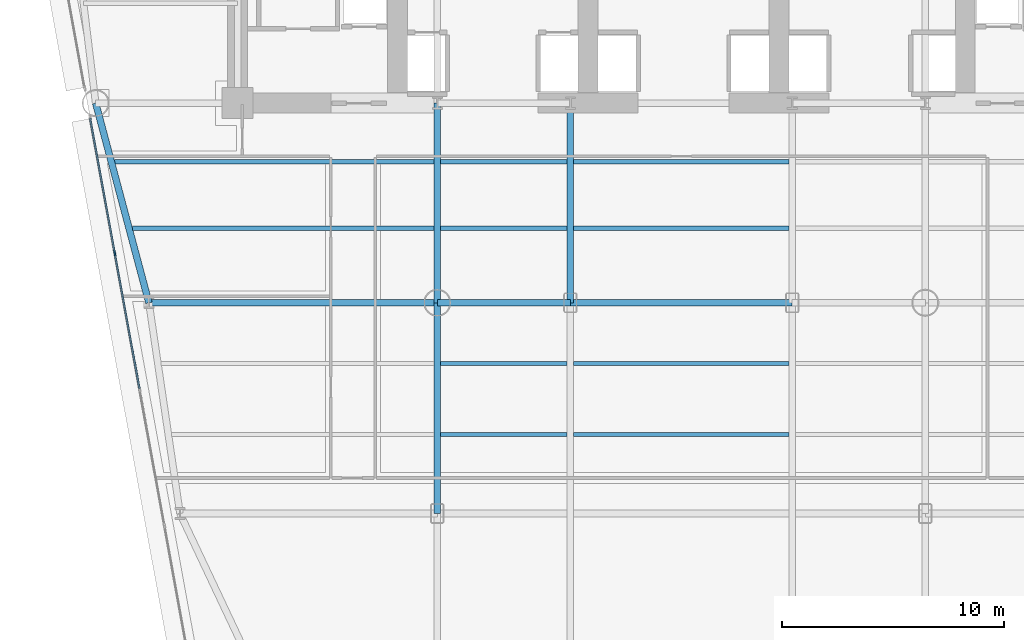
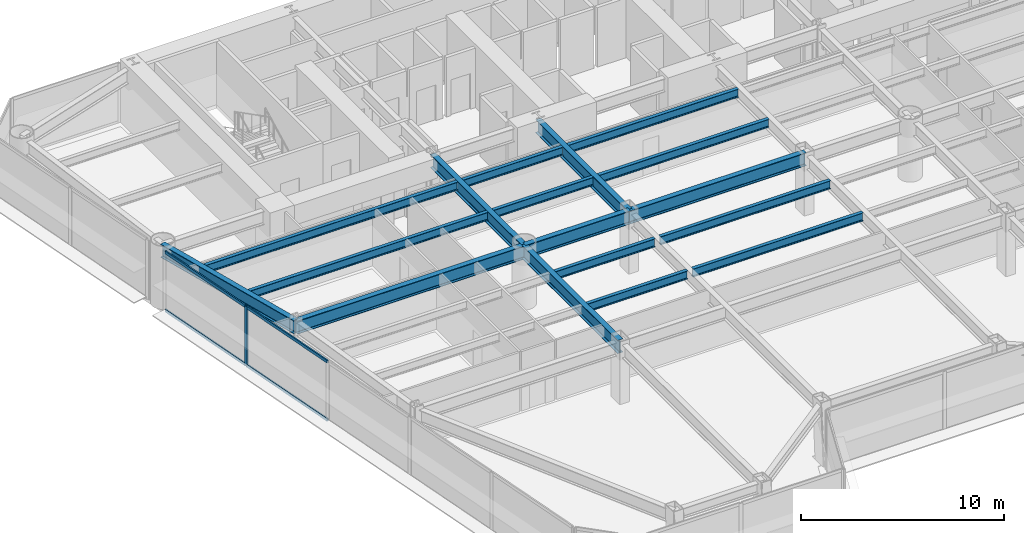
# One storey, part 3 of 14: 17 beams, 5 members, 1 element without a shape of its own.
"""IFC4 building model written with IfcOpenShell, lengths in metres."""

from ifc_helpers import new_model, si_unit, direction, frame, origin, origin_2d, place, context, subcontext, project, spatial, rectangle, i_section, extrude, source, transform, mapped, material, layer, layer_set, material_profile, profile_set, type_object, element, aggregate, save


model = new_model("IFC4")

# Units and contexts
model_context = context("Model", 3, precision=1e-05, world=origin(), true_north=direction((0.0, 1.0)))
body_context = subcontext(model_context, "Body", "Model", "MODEL_VIEW")
ifc_project = project(units=[si_unit("LENGTHUNIT", "METRE"), si_unit("AREAUNIT", "SQUARE_METRE"), si_unit("VOLUMEUNIT", "CUBIC_METRE"), si_unit("PLANEANGLEUNIT", "RADIAN"), si_unit("MASSUNIT", "GRAM", prefix="KILO")], contexts=[model_context])

# Site, building, storey
site_placement = place(None, origin())
site = spatial("IfcSite", under=ifc_project, at=site_placement, CompositionType="ELEMENT")
building_placement = place(site_placement, origin())
building = spatial("IfcBuilding", under=site, at=building_placement, Name="Vaeldorn Concourse Tower", CompositionType="ELEMENT")
storey_placement = place(building_placement, frame((0.0, 0.0, 64.39990234375)))
storey = spatial("IfcBuildingStorey", under=building, at=storey_placement, Name="L16", CompositionType="ELEMENT", Elevation=64.39990234375)

# Beams
ifc_material_1 = material(Name="Steel S355", Category="steel")
ifc_material_profile_1 = material_profile(ifc_material_1, i_section(OverallWidth=0.300048828125, OverallDepth=0.800048828125, WebThickness=0.017578125, FlangeThickness=0.032958984375, FilletRadius=0.030029296875, at=origin_2d()), Name="HEB 800")
ifc_profile_set_1 = profile_set([ifc_material_profile_1], Name="Steel S355")
beam_type_1 = type_object("IfcBeamType", Name="BM-PG-HEB800", PredefinedType="BEAM", material=ifc_profile_set_1)
shared_shape_1 = source(origin(), body_context, "Body", "SweptSolid", [
    extrude(i_section(OverallWidth=0.300048828125, OverallDepth=0.800048828125, WebThickness=0.017578125, FlangeThickness=0.032958984375, FilletRadius=0.030029296875, at=origin_2d()), origin(), (0.0, 0.0, 1.0), 6.0),
])
beam_1_placement = place(storey_placement, frame((23.0, 27.5, 3.18017578125), z_axis=(1.0, 0.0, 0.0), x_axis=(0.0, 1.0, 0.0)))
element("IfcBeam", 1, at=beam_1_placement, inside=storey, type_object=beam_type_1, Name="Beam BM-L16-C-TW1-C-TW2", PredefinedType="BEAM", context=body_context, shape_type="MappedRepresentation", body=[
    mapped(shared_shape_1, transform((0.0, 0.0, 0.0), scale=1.0)),
])
shared_shape_2 = source(origin(), body_context, "Body", "SweptSolid", [
    extrude(i_section(OverallWidth=0.300048828125, OverallDepth=0.800048828125, WebThickness=0.017578125, FlangeThickness=0.032958984375, FilletRadius=0.030029296875, at=origin_2d()), origin(), (0.0, 0.0, 1.0), 10.0),
])
beam_2_placement = place(storey_placement, frame((29.0, 27.5, 3.18017578125), z_axis=(1.0, 0.0, 0.0), x_axis=(0.0, 1.0, 0.0)))
element("IfcBeam", 2, at=beam_2_placement, inside=storey, type_object=beam_type_1, Name="Beam BM-L16-C-TW2-C-TW3", PredefinedType="BEAM", context=body_context, shape_type="MappedRepresentation", body=[
    mapped(shared_shape_2, transform((0.0, 0.0, 0.0), scale=1.0)),
])
shared_shape_3 = source(origin(), body_context, "Body", "SweptSolid", [
    extrude(i_section(OverallWidth=0.300048828125, OverallDepth=0.800048828125, WebThickness=0.017578125, FlangeThickness=0.032958984375, FilletRadius=0.030029296875, at=origin_2d()), origin(), (0.0, 0.0, 1.0), 9.0),
])
for number, where, z_axis, x_axis, name in (
    (3, (23.0, 27.5, 3.18017578125), (0.0, 1.0, 0.0), (-1.0, 0.0, 0.0), "Beam BM-L16-C-TW1-C-FC2"),
    (4, (29.0, 27.5, 3.18017578125), (0.0, 1.0, 0.0), (-1.0, 0.0, 0.0), "Beam BM-L16-C-TW2-C-FC3"),
):
    element("IfcBeam", number, at=place(storey_placement, frame(where, z_axis=z_axis, x_axis=x_axis)), inside=storey, type_object=beam_type_1, Name=name, PredefinedType="BEAM", context=body_context, shape_type="MappedRepresentation", body=[
        mapped(shared_shape_3, transform((0.0, 0.0, 0.0), scale=1.0)),
    ])
shared_shape_4 = source(origin(), body_context, "Body", "SweptSolid", [
    extrude(i_section(OverallWidth=0.300048828125, OverallDepth=0.800048828125, WebThickness=0.017578125, FlangeThickness=0.032958984375, FilletRadius=0.030029296875, at=origin_2d()), origin(), (0.0, 0.0, 1.0), 9.314453125),
])
beam_3_placement = place(storey_placement, frame((7.60009765625, 36.5, 3.18017578125), z_axis=(0.257652862255, -0.966237549763, 0.0), x_axis=(0.966237549763, 0.257652862255, 0.0)))
element("IfcBeam", 5, at=beam_3_placement, inside=storey, type_object=beam_type_1, Name="Beam BM-L16-C-NW2-C-FLW1", PredefinedType="BEAM", context=body_context, shape_type="MappedRepresentation", body=[
    mapped(shared_shape_4, transform((0.0, 0.0, 0.0), scale=1.0)),
])
shared_shape_5 = source(origin(), body_context, "Body", "SweptSolid", [
    extrude(i_section(OverallWidth=0.300048828125, OverallDepth=0.800048828125, WebThickness=0.017578125, FlangeThickness=0.032958984375, FilletRadius=0.030029296875, at=origin_2d()), origin(), (0.0, 0.0, 1.0), 13.0),
])
beam_4_placement = place(storey_placement, frame((10.0, 27.5, 3.18017578125), z_axis=(1.0, 0.0, 0.0), x_axis=(0.0, 1.0, 0.0)))
element("IfcBeam", 6, at=beam_4_placement, inside=storey, type_object=beam_type_1, Name="Beam BM-L16-C-FLW1-C-TW1", PredefinedType="BEAM", context=body_context, shape_type="MappedRepresentation", body=[
    mapped(shared_shape_5, transform((0.0, 0.0, 0.0), scale=1.0)),
])
shared_shape_6 = source(origin(), body_context, "Body", "SweptSolid", [
    extrude(i_section(OverallWidth=0.300048828125, OverallDepth=0.800048828125, WebThickness=0.017578125, FlangeThickness=0.032958984375, FilletRadius=0.030029296875, at=origin_2d()), origin(), (0.0, 0.0, 1.0), 9.5),
])
beam_5_placement = place(storey_placement, frame((23.0, 18.0, 3.18017578125), z_axis=(0.0, 1.0, 0.0), x_axis=(-1.0, 0.0, 0.0)))
element("IfcBeam", 7, at=beam_5_placement, inside=storey, type_object=beam_type_1, Name="Beam BM-L16-C-TW5-C-TW1", PredefinedType="BEAM", context=body_context, shape_type="MappedRepresentation", body=[
    mapped(shared_shape_6, transform((0.0, 0.0, 0.0), scale=1.0)),
])
ifc_material_profile_2 = material_profile(ifc_material_1, i_section(OverallWidth=0.199951171875, OverallDepth=0.5, WebThickness=0.01025390625, FlangeThickness=0.01611328125, FilletRadius=0.02099609375, at=origin_2d()), Name="IPE 500")
ifc_profile_set_2 = profile_set([ifc_material_profile_2], Name="Steel S355")
beam_type_2 = type_object("IfcBeamType", Name="BM-JS-IPE500", PredefinedType="JOIST", material=ifc_profile_set_2)
shared_shape_7 = source(origin(), body_context, "Body", "SweptSolid", [
    extrude(i_section(OverallWidth=0.199951171875, OverallDepth=0.5, WebThickness=0.01025390625, FlangeThickness=0.01611328125, FilletRadius=0.02099609375, at=origin_2d()), origin(), (0.0, 0.0, 1.0), 5.7001953125),
])
for number, where, z_axis, x_axis, name in (
    (8, (23.14990234375, 21.56005859375, 3.330078125), (1.0, 0.0, 0.0), (0.0, 1.0, 0.0), "Beam JS-L16-W2-215"),
    (9, (23.14990234375, 24.760009765625, 3.330078125), (1.0, 0.0, 0.0), (0.0, 1.0, 0.0), "Beam JS-L16-W2-247"),
    (10, (23.14990234375, 30.860107421875, 3.330078125), (1.0, 0.0, 0.0), (0.0, 1.0, 0.0), "Beam JS-L16-W2-308"),
    (11, (23.14990234375, 33.860107421875, 3.330078125), (1.0, 0.0, 0.0), (0.0, 1.0, 0.0), "Beam JS-L16-W2-338"),
):
    element("IfcBeam", number, at=place(storey_placement, frame(where, z_axis=z_axis, x_axis=x_axis)), inside=storey, type_object=beam_type_2, Name=name, PredefinedType="JOIST", context=body_context, shape_type="MappedRepresentation", body=[
        mapped(shared_shape_7, transform((0.0, 0.0, 0.0), scale=1.0)),
    ])
shared_shape_8 = source(origin(), body_context, "Body", "SweptSolid", [
    extrude(i_section(OverallWidth=0.199951171875, OverallDepth=0.5, WebThickness=0.01025390625, FlangeThickness=0.01611328125, FilletRadius=0.02099609375, at=origin_2d()), origin(), (0.0, 0.0, 1.0), 9.7001953125),
])
for number, where, z_axis, x_axis, name in (
    (12, (29.14990234375, 21.56005859375, 3.330078125), (1.0, 0.0, 0.0), (0.0, 1.0, 0.0), "Beam JS-L16-C-215"),
    (13, (29.14990234375, 24.760009765625, 3.330078125), (1.0, 0.0, 0.0), (0.0, 1.0, 0.0), "Beam JS-L16-C-247"),
    (14, (29.14990234375, 30.860107421875, 3.330078125), (1.0, 0.0, 0.0), (0.0, 1.0, 0.0), "Beam JS-L16-C-308"),
    (15, (29.14990234375, 33.860107421875, 3.330078125), (1.0, 0.0, 0.0), (0.0, 1.0, 0.0), "Beam JS-L16-C-338"),
):
    element("IfcBeam", number, at=place(storey_placement, frame(where, z_axis=z_axis, x_axis=x_axis)), inside=storey, type_object=beam_type_2, Name=name, PredefinedType="JOIST", context=body_context, shape_type="MappedRepresentation", body=[
        mapped(shared_shape_8, transform((0.0, 0.0, 0.0), scale=1.0)),
    ])
shared_shape_9 = source(origin(), body_context, "Body", "SweptSolid", [
    extrude(i_section(OverallWidth=0.199951171875, OverallDepth=0.5, WebThickness=0.01025390625, FlangeThickness=0.01611328125, FilletRadius=0.02099609375, at=origin_2d()), origin(), (0.0, 0.0, 1.0), 13.59619140625),
])
beam_6_placement = place(storey_placement, frame((9.25390625, 30.860107421875, 3.330078125), z_axis=(1.0, 0.0, 0.0), x_axis=(0.0, 1.0, 0.0)))
element("IfcBeam", 16, at=beam_6_placement, inside=storey, type_object=beam_type_2, Name="Beam JS-L16-W1-308", PredefinedType="JOIST", context=body_context, shape_type="MappedRepresentation", body=[
    mapped(shared_shape_9, transform((0.0, 0.0, 0.0), scale=1.0)),
])
shared_shape_10 = source(origin(), body_context, "Body", "SweptSolid", [
    extrude(i_section(OverallWidth=0.199951171875, OverallDepth=0.5, WebThickness=0.01025390625, FlangeThickness=0.01611328125, FilletRadius=0.02099609375, at=origin_2d()), origin(), (0.0, 0.0, 1.0), 14.39599609375),
])
beam_7_placement = place(storey_placement, frame((8.4541015625, 33.860107421875, 3.330078125), z_axis=(1.0, 0.0, 0.0), x_axis=(0.0, 1.0, 0.0)))
element("IfcBeam", 17, at=beam_7_placement, inside=storey, type_object=beam_type_2, Name="Beam JS-L16-W1-338", PredefinedType="JOIST", context=body_context, shape_type="MappedRepresentation", body=[
    mapped(shared_shape_10, transform((0.0, 0.0, 0.0), scale=1.0)),
])

# Curtain wall, members
ifc_material_2 = material(Name="Anodised Bronze Aluminium", Category="aluminium")
ifc_layer = layer(ifc_material_2, 0.219970703125)
ifc_layer_set = layer_set([ifc_layer], Name="Anodised Bronze Aluminium")
curtain_wall_type = type_object("IfcCurtainWallType", Name="CW-SYS-01", PredefinedType="NOTDEFINED", material=ifc_layer_set)
curtain_wall_placement = place(storey_placement, origin())
curtain_wall = element("IfcCurtainWall", 18, at=curtain_wall_placement, inside=storey, type_object=curtain_wall_type, Name="Unitised Curtain Wall CW-L16-E11-2", PredefinedType="NOTDEFINED")
ifc_material_profile_3 = material_profile(ifc_material_2, rectangle(XDim=0.074951171875, YDim=0.219970703125, at=origin_2d()), Name="CWM 75x220")
ifc_profile_set_3 = profile_set([ifc_material_profile_3], Name="Anodised Bronze Aluminium")
member_type_1 = type_object("IfcMemberType", Name="CWM-BRONZE-220", PredefinedType="MULLION", material=ifc_profile_set_3)
shared_shape_11 = source(origin(), body_context, "Body", "SweptSolid", [
    extrude(rectangle(XDim=0.074951171875, YDim=0.219970703125, at=origin_2d()), origin(), (0.0, 0.0, 1.0), 3.580078125),
])
member_1_placement = place(storey_placement, frame((8.459228515625, 29.73828125, 0.0), z_axis=(0.0, 0.0, 1.0), x_axis=(0.983762772007, 0.179473698387, 0.0)))
member_1 = element("IfcMember", 19, at=member_1_placement, type_object=member_type_1, Name="CW-01 mullion 2", PredefinedType="MULLION", context=body_context, shape_type="MappedRepresentation", body=[
    mapped(shared_shape_11, transform((0.0, 0.0, 0.0), scale=1.0)),
])
ifc_material_profile_4 = material_profile(ifc_material_2, rectangle(XDim=0.074951171875, YDim=0.179931640625, at=origin_2d()), Name="CWT 75x180")
ifc_profile_set_4 = profile_set([ifc_material_profile_4], Name="Anodised Bronze Aluminium")
member_type_2 = type_object("IfcMemberType", Name="CWT-BRONZE-180", PredefinedType="USERDEFINED", material=ifc_profile_set_4)
shared_shape_12 = source(origin(), body_context, "Body", "SweptSolid", [
    extrude(rectangle(XDim=0.074951171875, YDim=0.179931640625, at=origin_2d()), origin(), (0.0, 0.0, 1.0), 6.16845703125),
])
member_2_placement = place(storey_placement, frame((8.466064453125, 29.701171875, 0.03759765625), z_axis=(0.179487945886, -0.983760172645, 0.0), x_axis=(0.983760172645, 0.179487945886, 0.0)))
member_2 = element("IfcMember", 20, at=member_2_placement, type_object=member_type_2, Name="CW-01 transom 2.1", ObjectType="TRANSOM", PredefinedType="USERDEFINED", context=body_context, shape_type="MappedRepresentation", body=[
    mapped(shared_shape_12, transform((0.0, 0.0, 0.0), scale=1.0)),
])
member_3_placement = place(storey_placement, frame((8.466064453125, 29.701171875, 3.54248046875), z_axis=(0.179487945886, -0.983760172645, 0.0), x_axis=(0.983760172645, 0.179487945886, 0.0)))
member_3 = element("IfcMember", 21, at=member_3_placement, type_object=member_type_2, Name="CW-01 transom 2.2", ObjectType="TRANSOM", PredefinedType="USERDEFINED", context=body_context, shape_type="MappedRepresentation", body=[
    mapped(shared_shape_12, transform((0.0, 0.0, 0.0), scale=1.0)),
])
shared_shape_13 = source(origin(), body_context, "Body", "SweptSolid", [
    extrude(rectangle(XDim=0.074951171875, YDim=0.179931640625, at=origin_2d()), origin(), (0.0, 0.0, 1.0), 6.131103515625),
])
member_4_placement = place(storey_placement, frame((7.35205078125, 35.806640625, 0.03759765625), z_axis=(0.179509144763, -0.983756304654, 0.0), x_axis=(0.983756304654, 0.179509144763, 0.0)))
member_4 = element("IfcMember", 22, at=member_4_placement, type_object=member_type_2, Name="CW-01 transom 1.1", ObjectType="TRANSOM", PredefinedType="USERDEFINED", context=body_context, shape_type="MappedRepresentation", body=[
    mapped(shared_shape_13, transform((0.0, 0.0, 0.0), scale=1.0)),
])
member_5_placement = place(storey_placement, frame((7.35205078125, 35.806640625, 3.54248046875), z_axis=(0.179509144763, -0.983756304654, 0.0), x_axis=(0.983756304654, 0.179509144763, 0.0)))
member_5 = element("IfcMember", 23, at=member_5_placement, type_object=member_type_2, Name="CW-01 transom 1.2", ObjectType="TRANSOM", PredefinedType="USERDEFINED", context=body_context, shape_type="MappedRepresentation", body=[
    mapped(shared_shape_13, transform((0.0, 0.0, 0.0), scale=1.0)),
])
aggregate(curtain_wall, [member_1, member_4, member_5, member_2, member_3])

save(model, "model.ifc")
